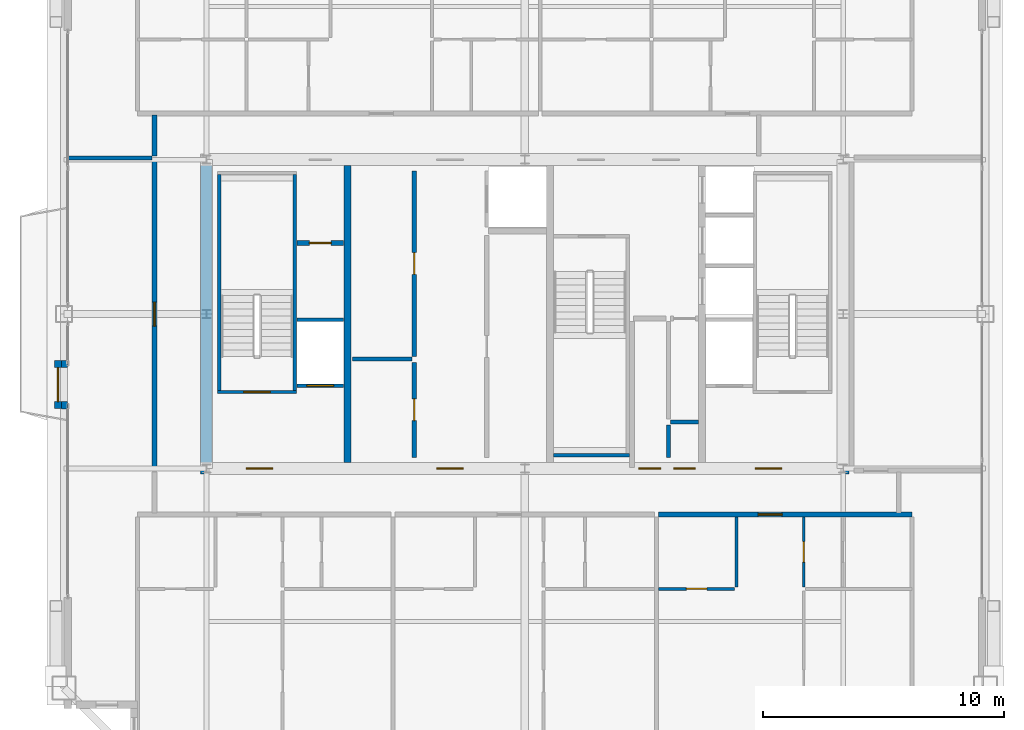
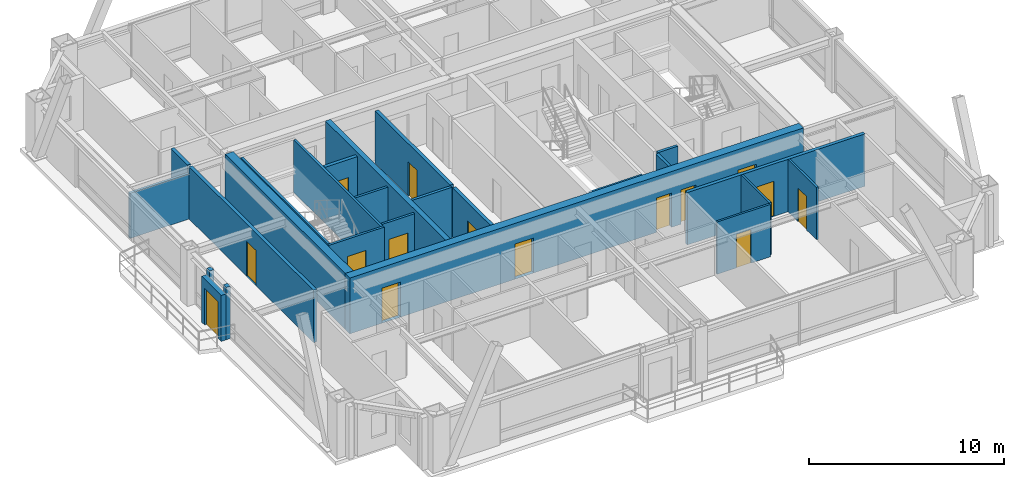
# One storey, part 29 of 33: 25 walls, 15 doors, 15 openings.
"""IFC4 building model written with IfcOpenShell, lengths in metres."""

import ifcopenshell
import ifcopenshell.guid

model = None  # the IFC model being written
_history = None  # IfcOwnerHistory: only IFC2X3 demands one
_inside = {}  # id of a spatial element -> (the spatial element, [elements in it])
_under = {}  # id of a project, library or spatial element -> (it, [spatial elements below it])
_declared = {}  # id of a project -> (the project, [libraries it declares])
_typed = {}  # id of a type object -> (the type object, [elements of that type])
_made_of = {}  # id of a material, layer set ... -> (it, [elements and type objects made of it])


def new_model(schema):
    """Start an empty IFC model of exactly this schema.

    Asked for "IFC4X3", IfcOpenShell would pick the latest addendum, in which some entities
    have other attributes; the version numbers below select the first issue.
    IFC2X3 requires an IfcOwnerHistory on every rooted entity: one is made here for all.
    """
    global model, _history
    if schema == "IFC4X3":
        model = ifcopenshell.file(schema_version=(4, 3, 0, 0))
    else:
        model = ifcopenshell.file(schema=schema)
    _inside.clear()
    _under.clear()
    _declared.clear()
    _typed.clear()
    _made_of.clear()
    _history = None
    if model.schema == "IFC2X3":
        org = make("IfcOrganization", Name="unknown")
        user = make(
            "IfcPersonAndOrganization",
            ThePerson=make("IfcPerson", FamilyName="unknown"),
            TheOrganization=org,
        )
        app = make(
            "IfcApplication",
            ApplicationDeveloper=org,
            Version="unknown",
            ApplicationFullName="unknown",
            ApplicationIdentifier="unknown",
        )
        _history = make(
            "IfcOwnerHistory",
            OwningUser=user,
            OwningApplication=app,
            ChangeAction="ADDED",
            CreationDate=0,
        )
    return model


def make(cls, **values):
    """One entity of the class cls with the attributes given. An attribute that is None is left unset."""
    return model.create_entity(
        cls, **{name: value for name, value in values.items() if value is not None}
    )


def rooted(cls, **values):
    """An entity with a GlobalId (a new one), such as an element, a storey or a relation."""
    return make(cls, GlobalId=ifcopenshell.guid.new(), OwnerHistory=_history, **values)


def si_unit(unit_type, name, prefix=None):
    """IfcSIUnit, for example si_unit("LENGTHUNIT", "METRE", prefix="MILLI")."""
    return make("IfcSIUnit", UnitType=unit_type, Prefix=prefix, Name=name)


def assignment(units):
    """IfcUnitAssignment: the units of a project."""
    return None if units is None else make("IfcUnitAssignment", Units=units)


def point(xyz):
    """IfcCartesianPoint."""
    return None if xyz is None else make("IfcCartesianPoint", Coordinates=xyz)


def direction(xyz):
    """IfcDirection."""
    return None if xyz is None else make("IfcDirection", DirectionRatios=xyz)


def frame(location, z_axis=None, x_axis=None):
    """IfcAxis2Placement3D, a coordinate frame: its origin and axes. An axis left out is left unset."""
    return make(
        "IfcAxis2Placement3D",
        Location=point(location),
        Axis=direction(z_axis),
        RefDirection=direction(x_axis),
    )


def frame_2d(location, x_axis=None):
    """IfcAxis2Placement2D, a coordinate frame in the plane: its origin and x axis."""
    return make(
        "IfcAxis2Placement2D", Location=point(location), RefDirection=direction(x_axis)
    )


def origin():
    """The frame at (0, 0, 0) with its axes left unset."""
    return frame((0.0, 0.0, 0.0))


def place(relative_to, where):
    """IfcLocalPlacement: puts the frame where relative to a parent placement (None: the world)."""
    return make(
        "IfcLocalPlacement", PlacementRelTo=relative_to, RelativePlacement=where
    )


def context(
    kind, dimensions, precision=None, world=None, true_north=None, identifier=None
):
    """IfcGeometricRepresentationContext, for example the 3D "Model" context."""
    return make(
        "IfcGeometricRepresentationContext",
        ContextIdentifier=identifier,
        ContextType=kind,
        CoordinateSpaceDimension=dimensions,
        Precision=precision,
        WorldCoordinateSystem=world,
        TrueNorth=true_north,
    )


def subcontext(parent, identifier, kind, view, scale=None):
    """IfcGeometricRepresentationSubContext, for example "Body" below "Model"."""
    return make(
        "IfcGeometricRepresentationSubContext",
        ContextIdentifier=identifier,
        ContextType=kind,
        ParentContext=parent,
        TargetScale=scale,
        TargetView=view,
    )


def project(units=None, contexts=None):
    """IfcProject with its units and contexts."""
    return rooted(
        "IfcProject",
        Name="project",
        RepresentationContexts=contexts,
        UnitsInContext=assignment(units),
    )


def spatial(cls, under=None, at=None, **own):
    """A site, building, storey or space (cls), placed at a placement, below another one or the project."""
    s = rooted(cls, ObjectPlacement=at, **own)
    if under is not None:
        _under.setdefault(under.id(), (under, []))[1].append(s)
    return s


def profile(cls, at=None, kind="AREA", **sizes):
    """A parametric profile (cls). Its sizes go by their IFC names, for example OverallWidth=200.0."""
    return make(cls, ProfileType=kind, Position=at, **sizes)


def rectangle(**sizes):
    """IfcRectangleProfileDef."""
    return profile("IfcRectangleProfileDef", **sizes)


def extrude(swept, where, along, depth):
    """IfcExtrudedAreaSolid: the profile swept, set in the frame where, extruded along a direction by depth."""
    return make(
        "IfcExtrudedAreaSolid",
        SweptArea=swept,
        Position=where,
        ExtrudedDirection=direction(along),
        Depth=depth,
    )


def shape(context_of_items, identifier, shape_type, items):
    """IfcShapeRepresentation: the items that make up one representation, for example the "Body"."""
    return make(
        "IfcShapeRepresentation",
        ContextOfItems=context_of_items,
        RepresentationIdentifier=identifier,
        RepresentationType=shape_type,
        Items=items,
    )


def source(mapping_origin, context_of_items, identifier, shape_type, items):
    """IfcRepresentationMap: a shape defined once, which mapped items show again and again."""
    return make(
        "IfcRepresentationMap",
        MappingOrigin=mapping_origin,
        MappedRepresentation=shape(context_of_items, identifier, shape_type, items),
    )


def transform(
    local_origin,
    x_axis=None,
    y_axis=None,
    z_axis=None,
    scale=None,
    scale2=None,
    scale3=None,
    uniform=True,
):
    """IfcCartesianTransformationOperator3D, or its non-uniform kind. x_axis, y_axis, z_axis: its Axis1, 2, 3."""
    if uniform:
        return make(
            "IfcCartesianTransformationOperator3D",
            Axis1=direction(x_axis),
            Axis2=direction(y_axis),
            LocalOrigin=point(local_origin),
            Scale=scale,
            Axis3=direction(z_axis),
        )
    return make(
        "IfcCartesianTransformationOperator3DnonUniform",
        Axis1=direction(x_axis),
        Axis2=direction(y_axis),
        LocalOrigin=point(local_origin),
        Scale=scale,
        Axis3=direction(z_axis),
        Scale2=scale2,
        Scale3=scale3,
    )


def mapped(mapping_source, mapping_target):
    """IfcMappedItem: shows the shape of a source again, moved by a transform."""
    return make(
        "IfcMappedItem", MappingSource=mapping_source, MappingTarget=mapping_target
    )


def material(Name=None, Category=None):
    """IfcMaterial."""
    return make("IfcMaterial", Name=Name, Category=Category)


def layer(
    of_material, thickness, ventilated=None, Name=None, Category=None, Priority=None
):
    """IfcMaterialLayer: one layer of a wall or slab, of a material (None: an air gap)."""
    return make(
        "IfcMaterialLayer",
        Material=of_material,
        LayerThickness=thickness,
        IsVentilated=ventilated,
        Name=Name,
        Category=Category,
        Priority=Priority,
    )


def layer_set(layers, Name=None):
    """IfcMaterialLayerSet."""
    return make("IfcMaterialLayerSet", MaterialLayers=layers, LayerSetName=Name)


def made_of(thing, what):
    """Note that an element or type object is made of a material, layer set ...; save() writes the relation."""
    if what is not None:
        _made_of.setdefault(what.id(), (what, []))[1].append(thing)
    return thing


def type_object(cls, material=None, **own):
    """A type object (cls), such as IfcWallType, which elements share."""
    return made_of(rooted(cls, **own), material)


def element(
    cls,
    number,
    at=None,
    inside=None,
    cuts=None,
    type_object=None,
    material=None,
    context=None,
    identifier="Body",
    shape_type=None,
    held_by="IfcProductDefinitionShape",
    body=None,
    shapes=None,
    **own,
):
    """One element of the class cls, such as IfcWall. Its Tag is "e" and its number.

    at: its placement. inside: the storey or other place that contains it. cuts: it is an
    opening in that element (IfcRelVoidsElement). A single representation is given by context,
    identifier, shape_type and body (its items); several are given by shapes. held_by: the class
    of the entity that holds the representations. save() writes the other relations.
    """
    e = rooted(cls, Tag="e%d" % number, ObjectPlacement=at, **own)
    if body is not None:
        shapes = [shape(context, identifier, shape_type, body)]
    if shapes is not None:
        e.Representation = make(held_by, Representations=shapes)
    if inside is not None:
        _inside.setdefault(inside.id(), (inside, []))[1].append(e)
    if cuts is not None:
        rooted(
            "IfcRelVoidsElement", RelatingBuildingElement=cuts, RelatedOpeningElement=e
        )
    if type_object is not None:
        _typed.setdefault(type_object.id(), (type_object, []))[1].append(e)
    return made_of(e, material)


def fill(opening, filler):
    """IfcRelFillsElement: the door or window that sits in an opening."""
    return rooted(
        "IfcRelFillsElement",
        RelatingOpeningElement=opening,
        RelatedBuildingElement=filler,
    )


def aggregate(whole, parts):
    """IfcRelAggregates: a whole, such as a stair, and the parts it consists of."""
    return rooted("IfcRelAggregates", RelatingObject=whole, RelatedObjects=parts)


def save(model, path):
    """Write the relations noted so far, then the file.

    IfcRelAggregates (storeys below a building ...), IfcRelContainedInSpatialStructure (elements
    in a storey), IfcRelDefinesByType, IfcRelAssociatesMaterial and IfcRelDeclares: one each for
    every whole, place, type object, material and project.
    """
    for whole, parts in _under.values():
        aggregate(whole, parts)
    for where, things in _inside.values():
        rooted(
            "IfcRelContainedInSpatialStructure",
            RelatedElements=things,
            RelatingStructure=where,
        )
    for kind, things in _typed.values():
        rooted("IfcRelDefinesByType", RelatedObjects=things, RelatingType=kind)
    for what, things in _made_of.values():
        rooted("IfcRelAssociatesMaterial", RelatedObjects=things, RelatingMaterial=what)
    for by, libraries in _declared.values():
        rooted("IfcRelDeclares", RelatingContext=by, RelatedDefinitions=libraries)
    model.write(path)


model = new_model("IFC4")

# Units and contexts
model_context = context("Model", 3, precision=1e-05, world=origin(), true_north=direction((0.0, 1.0)))
body_context = subcontext(model_context, "Body", "Model", "MODEL_VIEW")
ifc_project = project(units=[si_unit("LENGTHUNIT", "METRE"), si_unit("AREAUNIT", "SQUARE_METRE"), si_unit("VOLUMEUNIT", "CUBIC_METRE"), si_unit("PLANEANGLEUNIT", "RADIAN"), si_unit("MASSUNIT", "GRAM", prefix="KILO"), si_unit("THERMODYNAMICTEMPERATUREUNIT", "KELVIN"), si_unit("POWERUNIT", "WATT")], contexts=[model_context])

# Site, building, storey
site_placement = place(None, origin())
site = spatial("IfcSite", under=ifc_project, at=site_placement, CompositionType="ELEMENT")
building_placement = place(site_placement, origin())
building = spatial("IfcBuilding", under=site, at=building_placement, Name="Yuzanri Waterfront Tower", CompositionType="ELEMENT")
storey_placement = place(building_placement, frame((0.0, 0.0, 292.60009765625)))
storey = spatial("IfcBuildingStorey", under=building, at=storey_placement, Name="L78", CompositionType="ELEMENT", Elevation=292.60009765625)

# Wall, opening, door
ifc_material_1 = material(Name="Moisture-Resistant Gypsum Stud Wall", Category="gypsum")
ifc_layer_1 = layer(ifc_material_1, 0.1201171875)
ifc_layer_set_1 = layer_set([ifc_layer_1], Name="Moisture-Resistant Gypsum Stud Wall")
wall_type_1 = type_object("IfcWallType", Name="Bathroom and Kitchen Wet Partition 120", PredefinedType="PARTITIONING", material=ifc_layer_set_1)
wall_1_placement = place(storey_placement, frame((42.5400390625, 14.409912109375, 0.0), z_axis=(0.0, 0.0, 1.0), x_axis=(1.0, 0.0, 0.0)))
wall_1 = element("IfcWall", 1, at=wall_1_placement, inside=storey, type_object=wall_type_1, Name="L78 Partition UW-L78-HS3-SUB-1-S", PredefinedType="PARTITIONING", context=body_context, shape_type="SweptSolid", body=[
    extrude(rectangle(XDim=3.156005859375, YDim=0.1201171875, at=frame_2d((1.578125, 0.0))), origin(), (0.0, 0.0, 1.0), 3.27978515625),
])
opening_1_placement = place(wall_1_placement, frame((1.153076171875, 0.0, 0.0)))
opening_1 = element("IfcOpeningElement", 2, at=opening_1_placement, cuts=wall_1, Name="Opening ID-0850", PredefinedType="OPENING", context=body_context, shape_type="SweptSolid", body=[
    extrude(rectangle(XDim=0.85009765625, YDim=2.10009765625, at=frame_2d((0.425048828125, 1.050048828125))), frame((0.0, 0.074951171875, 0.0), z_axis=(0.0, -1.0, 0.0), x_axis=(1.0, 0.0, 0.0)), (0.0, 0.0, 1.0), 0.14990234375),
])
ifc_material_2 = material(Name="Moisture-Resistant Lacquered Timber", Category="wood")
door_type_1 = type_object("IfcDoorType", Name="En-Suite Bathroom and Kitchen Swing Door 850x2100", OperationType="NOTDEFINED", PredefinedType="DOOR", material=ifc_material_2)
shared_shape_1 = source(origin(), body_context, "Body", "SweptSolid", [
    extrude(rectangle(XDim=0.85009765625, YDim=2.10009765625, at=frame_2d((0.425048828125, 1.050048828125))), frame((0.0, 0.02490234375, 0.0), z_axis=(0.0, -1.0, 0.0), x_axis=(1.0, 0.0, 0.0)), (0.0, 0.0, 1.0), 0.050048828125),
])
door_1_placement = place(opening_1_placement, origin())
door_1 = element("IfcDoor", 3, at=door_1_placement, inside=storey, type_object=door_type_1, Name="L78 Suite Interior Room Door", OperationType="SINGLE_SWING_LEFT", OverallHeight=2.10009765625, OverallWidth=0.85009765625, PredefinedType="DOOR", context=body_context, shape_type="MappedRepresentation", body=[
    mapped(shared_shape_1, transform((0.0, 0.0, 0.0), scale=1.0)),
])
fill(opening_1, door_1)

wall_2_placement = place(storey_placement, frame((48.56201171875, 14.489990234375, 0.0), z_axis=(0.0, 0.0, 1.0), x_axis=(0.0, 1.0, 0.0)))
wall_2 = element("IfcWall", 4, at=wall_2_placement, inside=storey, type_object=wall_type_1, Name="L78 Partition UW-L78-HS3-SUB-4-W", PredefinedType="PARTITIONING", context=body_context, shape_type="SweptSolid", body=[
    extrude(rectangle(XDim=2.89990234375, YDim=0.1201171875, at=frame_2d((1.449951171875, 0.0))), origin(), (0.0, 0.0, 1.0), 3.27978515625),
])
opening_2_placement = place(wall_2_placement, frame((1.02490234375, 0.0, 0.0)))
opening_2 = element("IfcOpeningElement", 5, at=opening_2_placement, cuts=wall_2, Name="Opening ID-0850", PredefinedType="OPENING", context=body_context, shape_type="SweptSolid", body=[
    extrude(rectangle(XDim=0.85009765625, YDim=2.10009765625, at=frame_2d((0.425048828125, 1.050048828125))), frame((0.0, 0.074951171875, 0.0), z_axis=(0.0, -1.0, 0.0), x_axis=(1.0, 0.0, 0.0)), (0.0, 0.0, 1.0), 0.14990234375),
])
door_2_placement = place(opening_2_placement, origin())
door_2 = element("IfcDoor", 6, at=door_2_placement, inside=storey, type_object=door_type_1, Name="L78 Suite Interior Room Door", OperationType="SINGLE_SWING_RIGHT", OverallHeight=2.10009765625, OverallWidth=0.85009765625, PredefinedType="DOOR", context=body_context, shape_type="MappedRepresentation", body=[
    mapped(shared_shape_1, transform((0.0, 0.0, 0.0), scale=1.0)),
])
fill(opening_2, door_2)

ifc_material_3 = material(Name="Honed Chongqing Dark Basalt Stone", Category="masonry")
ifc_layer_2 = layer(ifc_material_3, 0.300048828125)
ifc_layer_set_2 = layer_set([ifc_layer_2], Name="Honed Chongqing Dark Basalt Stone")
wall_type_2 = type_object("IfcWallType", Name="Bronze Rainscreen Insulated Spandrel Portal Wall 300", PredefinedType="SOLIDWALL", material=ifc_layer_set_2)
wall_3_placement = place(storey_placement, frame((17.64990234375, 21.875, 0.0), z_axis=(0.0, 0.0, 1.0), x_axis=(0.0, 1.0, 0.0)))
wall_3 = element("IfcWall", 7, at=wall_3_placement, inside=storey, type_object=wall_type_2, Name="L78 W Terrace Door Portal Wall", PredefinedType="SOLIDWALL", context=body_context, shape_type="SweptSolid", body=[
    extrude(rectangle(XDim=2.0, YDim=0.300048828125, at=frame_2d((1.0, 0.0))), origin(), (0.0, 0.0, 1.0), 2.885009765625),
])
opening_3_placement = place(wall_3_placement, frame((0.300048828125, 0.0, 0.0)))
opening_3 = element("IfcOpeningElement", 8, at=opening_3_placement, cuts=wall_3, Name="Opening TD-1400", PredefinedType="OPENING", context=body_context, shape_type="SweptSolid", body=[
    extrude(rectangle(XDim=1.39990234375, YDim=2.300048828125, at=frame_2d((0.699951171875, 1.14990234375))), frame((0.0, 0.1650390625, 0.0), z_axis=(0.0, -1.0, 0.0), x_axis=(1.0, 0.0, 0.0)), (0.0, 0.0, 1.0), 0.329833984375),
])
ifc_material_4 = material(Name="Anodized Architectural Bronze", Category="metal")
door_type_2 = type_object("IfcDoorType", Name="Anodized Bronze Balcony and Terrace Glazed Double Door 1400x2300", OperationType="NOTDEFINED", PredefinedType="DOOR", material=ifc_material_4)
shared_shape_2 = source(origin(), body_context, "Body", "SweptSolid", [
    extrude(rectangle(XDim=1.39990234375, YDim=2.300048828125, at=frame_2d((0.699951171875, 1.14990234375))), frame((0.0, 0.02490234375, 0.0), z_axis=(0.0, -1.0, 0.0), x_axis=(1.0, 0.0, 0.0)), (0.0, 0.0, 1.0), 0.050048828125),
])
door_3_placement = place(opening_3_placement, origin())
door_3 = element("IfcDoor", 9, at=door_3_placement, inside=storey, type_object=door_type_2, Name="L78 W Terrace Glazed Double Door", OperationType="DOUBLE_DOOR_SINGLE_SWING", OverallHeight=2.300048828125, OverallWidth=1.39990234375, PredefinedType="DOOR", context=body_context, shape_type="MappedRepresentation", body=[
    mapped(shared_shape_2, transform((0.0, 0.0, 0.0), scale=1.0)),
])
fill(opening_3, door_3)

# Wall, openings, doors
ifc_material_5 = material(Name="Concrete C45", Category="concrete")
ifc_layer_3 = layer(ifc_material_5, 0.47998046875)
ifc_layer_set_3 = layer_set([ifc_layer_3], Name="Concrete C45")
wall_type_3 = type_object("IfcWallType", Name="Concrete C45 High-Rise Core Shear Wall 480", PredefinedType="SHEAR", material=ifc_layer_set_3)
wall_4_placement = place(storey_placement, frame((23.56005859375, 19.39990234375, 0.0), z_axis=(0.0, 0.0, 1.0), x_axis=(1.0, 0.0, 0.0)))
wall_4 = element("IfcWall", 10, at=wall_4_placement, inside=storey, type_object=wall_type_3, Name="L78 Core South Shear Wall", PredefinedType="SHEAR", context=body_context, shape_type="SweptSolid", body=[
    extrude(rectangle(XDim=26.8798828125, YDim=0.47998046875, at=frame_2d((13.43994140625, 0.0))), origin(), (0.0, 0.0, 1.0), 3.5),
])
opening_4_placement = place(wall_4_placement, frame((1.889892578125, 0.0, 0.0)))
opening_4 = element("IfcOpeningElement", 11, at=opening_4_placement, cuts=wall_4, Name="Opening FD-1100", PredefinedType="OPENING", context=body_context, shape_type="SweptSolid", body=[
    extrude(rectangle(XDim=1.10009765625, YDim=2.199951171875, at=frame_2d((0.550048828125, 1.10009765625))), frame((0.0, 0.2548828125, 0.0), z_axis=(0.0, -1.0, 0.0), x_axis=(1.0, 0.0, 0.0)), (0.0, 0.0, 1.0), 0.509765625),
])
opening_5_placement = place(wall_4_placement, frame((9.7900390625, 0.0, 0.0)))
opening_5 = element("IfcOpeningElement", 12, at=opening_5_placement, cuts=wall_4, Name="Opening FD-1100", PredefinedType="OPENING", context=body_context, shape_type="SweptSolid", body=[
    extrude(rectangle(XDim=1.10009765625, YDim=2.199951171875, at=frame_2d((0.550048828125, 1.10009765625))), frame((0.0, 0.2548828125, 0.0), z_axis=(0.0, -1.0, 0.0), x_axis=(1.0, 0.0, 0.0)), (0.0, 0.0, 1.0), 0.509765625),
])
opening_6_placement = place(wall_4_placement, frame((22.989990234375, 0.0, 0.0)))
opening_6 = element("IfcOpeningElement", 13, at=opening_6_placement, cuts=wall_4, Name="Opening FD-1100", PredefinedType="OPENING", context=body_context, shape_type="SweptSolid", body=[
    extrude(rectangle(XDim=1.10009765625, YDim=2.199951171875, at=frame_2d((0.550048828125, 1.10009765625))), frame((0.0, 0.2548828125, 0.0), z_axis=(0.0, -1.0, 0.0), x_axis=(1.0, 0.0, 0.0)), (0.0, 0.0, 1.0), 0.509765625),
])
opening_7_placement = place(wall_4_placement, frame((19.610107421875, 0.0, 0.0)))
opening_7 = element("IfcOpeningElement", 14, at=opening_7_placement, cuts=wall_4, Name="Opening FD-0900", PredefinedType="OPENING", context=body_context, shape_type="SweptSolid", body=[
    extrude(rectangle(XDim=0.89990234375, YDim=2.14990234375, at=frame_2d((0.449951171875, 1.074951171875))), frame((0.0, 0.2548828125, 0.0), z_axis=(0.0, -1.0, 0.0), x_axis=(1.0, 0.0, 0.0)), (0.0, 0.0, 1.0), 0.509765625),
])
opening_8_placement = place(wall_4_placement, frame((18.169921875, 0.0, 0.0)))
opening_8 = element("IfcOpeningElement", 15, at=opening_8_placement, cuts=wall_4, Name="Opening FD-0900", PredefinedType="OPENING", context=body_context, shape_type="SweptSolid", body=[
    extrude(rectangle(XDim=0.89990234375, YDim=2.14990234375, at=frame_2d((0.449951171875, 1.074951171875))), frame((0.0, 0.2548828125, 0.0), z_axis=(0.0, -1.0, 0.0), x_axis=(1.0, 0.0, 0.0)), (0.0, 0.0, 1.0), 0.509765625),
])
ifc_material_6 = material(Name="Painted Galvanized Fire Steel", Category="steel")
door_type_3 = type_object("IfcDoorType", Name="Smoke-Proof Stair and Lobby Fire Door 1100x2200", OperationType="NOTDEFINED", PredefinedType="DOOR", material=ifc_material_6)
shared_shape_3 = source(origin(), body_context, "Body", "SweptSolid", [
    extrude(rectangle(XDim=1.10009765625, YDim=2.199951171875, at=frame_2d((0.550048828125, 1.10009765625))), frame((0.0, 0.02490234375, 0.0), z_axis=(0.0, -1.0, 0.0), x_axis=(1.0, 0.0, 0.0)), (0.0, 0.0, 1.0), 0.050048828125),
])
door_4_placement = place(opening_4_placement, origin())
door_4 = element("IfcDoor", 16, at=door_4_placement, inside=storey, type_object=door_type_3, Name="L78 West Firefighting Lobby Door", OperationType="SINGLE_SWING_RIGHT", OverallHeight=2.199951171875, OverallWidth=1.10009765625, PredefinedType="DOOR", context=body_context, shape_type="MappedRepresentation", body=[
    mapped(shared_shape_3, transform((0.0, 0.0, 0.0), scale=1.0)),
])
fill(opening_4, door_4)
door_5_placement = place(opening_5_placement, origin())
door_5 = element("IfcDoor", 17, at=door_5_placement, inside=storey, type_object=door_type_3, Name="L78 Central Lift Lobby South Door", OperationType="SINGLE_SWING_LEFT", OverallHeight=2.199951171875, OverallWidth=1.10009765625, PredefinedType="DOOR", context=body_context, shape_type="MappedRepresentation", body=[
    mapped(shared_shape_3, transform((0.0, 0.0, 0.0), scale=1.0)),
])
fill(opening_5, door_5)
door_6_placement = place(opening_6_placement, origin())
door_6 = element("IfcDoor", 18, at=door_6_placement, inside=storey, type_object=door_type_3, Name="L78 East Firefighting Lobby Door", OperationType="SINGLE_SWING_RIGHT", OverallHeight=2.199951171875, OverallWidth=1.10009765625, PredefinedType="DOOR", context=body_context, shape_type="MappedRepresentation", body=[
    mapped(shared_shape_3, transform((0.0, 0.0, 0.0), scale=1.0)),
])
fill(opening_6, door_6)
ifc_material_7 = material(Name="Painted Galvanized Fire Steel", Category="steel")
door_type_4 = type_object("IfcDoorType", Name="Riser and Service Room Fire Door 900x2150", OperationType="NOTDEFINED", PredefinedType="DOOR", material=ifc_material_7)
shared_shape_4 = source(origin(), body_context, "Body", "SweptSolid", [
    extrude(rectangle(XDim=0.89990234375, YDim=2.14990234375, at=frame_2d((0.449951171875, 1.074951171875))), frame((0.0, 0.02490234375, 0.0), z_axis=(0.0, -1.0, 0.0), x_axis=(1.0, 0.0, 0.0)), (0.0, 0.0, 1.0), 0.050048828125),
])
door_7_placement = place(opening_7_placement, origin())
door_7 = element("IfcDoor", 19, at=door_7_placement, inside=storey, type_object=door_type_4, Name="L78 East Wet Riser Door", OperationType="SINGLE_SWING_LEFT", OverallHeight=2.14990234375, OverallWidth=0.89990234375, PredefinedType="DOOR", context=body_context, shape_type="MappedRepresentation", body=[
    mapped(shared_shape_4, transform((0.0, 0.0, 0.0), scale=1.0)),
])
fill(opening_7, door_7)
door_8_placement = place(opening_8_placement, origin())
door_8 = element("IfcDoor", 20, at=door_8_placement, inside=storey, type_object=door_type_4, Name="L78 Cleaners Store Room", OperationType="SINGLE_SWING_RIGHT", OverallHeight=2.14990234375, OverallWidth=0.89990234375, PredefinedType="DOOR", context=body_context, shape_type="MappedRepresentation", body=[
    mapped(shared_shape_4, transform((0.0, 0.0, 0.0), scale=1.0)),
])
fill(opening_8, door_8)

# Wall, opening, door
ifc_material_8 = material(Name="Concrete C40", Category="concrete")
ifc_layer_4 = layer(ifc_material_8, 0.139892578125)
ifc_layer_set_4 = layer_set([ifc_layer_4], Name="Concrete C40")
wall_type_4 = type_object("IfcWallType", Name="Core Stair Liner and Hoistway Shaft Wall 140", PredefinedType="SOLIDWALL", material=ifc_layer_set_4)
wall_5_placement = place(storey_placement, frame((27.56005859375, 22.830078125, 0.0), z_axis=(0.0, 0.0, 1.0), x_axis=(1.0, 0.0, 0.0)))
wall_5 = element("IfcWall", 21, at=wall_5_placement, inside=storey, type_object=wall_type_4, Name="L78 Lift FL-01 Front Shaft Wall", PredefinedType="SOLIDWALL", context=body_context, shape_type="SweptSolid", body=[
    extrude(rectangle(XDim=1.919921875, YDim=0.139892578125, at=frame_2d((0.9599609375, 0.0))), origin(), (0.0, 0.0, 1.0), 3.27978515625),
])
opening_9_placement = place(wall_5_placement, frame((0.409912109375, 0.0, 0.0)))
opening_9 = element("IfcOpeningElement", 22, at=opening_9_placement, cuts=wall_5, Name="Opening LD-FL-01", PredefinedType="OPENING", context=body_context, shape_type="SweptSolid", body=[
    extrude(rectangle(XDim=1.10009765625, YDim=2.199951171875, at=frame_2d((0.550048828125, 1.10009765625))), frame((0.0, 0.0849609375, 0.0), z_axis=(0.0, -1.0, 0.0), x_axis=(1.0, 0.0, 0.0)), (0.0, 0.0, 1.0), 0.169677734375),
])
ifc_material_9 = material(Name="Brushed Bronze and Stainless Steel Cab", Category="steel")
door_type_5 = type_object("IfcDoorType", Name="Center-Parting Bronze Lift Landing Sliding Door 1100x2200", OperationType="NOTDEFINED", PredefinedType="DOOR", material=ifc_material_9)
shared_shape_5 = source(origin(), body_context, "Body", "SweptSolid", [
    extrude(rectangle(XDim=1.10009765625, YDim=2.199951171875, at=frame_2d((0.550048828125, 1.10009765625))), frame((0.0, 0.02490234375, 0.0), z_axis=(0.0, -1.0, 0.0), x_axis=(1.0, 0.0, 0.0)), (0.0, 0.0, 1.0), 0.050048828125),
])
door_9_placement = place(opening_9_placement, origin())
door_9 = element("IfcDoor", 23, at=door_9_placement, inside=storey, type_object=door_type_5, Name="L78 FL-01 Lift Landing Sliding Door", OperationType="SLIDING_TO_LEFT", OverallHeight=2.199951171875, OverallWidth=1.10009765625, PredefinedType="DOOR", context=body_context, shape_type="MappedRepresentation", body=[
    mapped(shared_shape_5, transform((0.0, 0.0, 0.0), scale=1.0)),
])
fill(opening_9, door_9)

wall_6_placement = place(storey_placement, frame((24.260009765625, 22.570068359375, 0.0), z_axis=(0.0, 0.0, 1.0), x_axis=(1.0, 0.0, 0.0)))
wall_6 = element("IfcWall", 24, at=wall_6_placement, inside=storey, type_object=wall_type_4, Name="L78 Shaft Wall STW-L78-ST-01-S", PredefinedType="SOLIDWALL", context=body_context, shape_type="SweptSolid", body=[
    extrude(rectangle(XDim=3.280029296875, YDim=0.139892578125, at=frame_2d((1.64013671875, 0.0))), origin(), (0.0, 0.0, 1.0), 3.27978515625),
])
opening_10_placement = place(wall_6_placement, frame((1.090087890625, 0.0, 0.0)))
opening_10 = element("IfcOpeningElement", 25, at=opening_10_placement, cuts=wall_6, Name="Opening FD-1100", PredefinedType="OPENING", context=body_context, shape_type="SweptSolid", body=[
    extrude(rectangle(XDim=1.10009765625, YDim=2.199951171875, at=frame_2d((0.550048828125, 1.10009765625))), frame((0.0, 0.0849609375, 0.0), z_axis=(0.0, -1.0, 0.0), x_axis=(1.0, 0.0, 0.0)), (0.0, 0.0, 1.0), 0.169677734375),
])
door_10_placement = place(opening_10_placement, origin())
door_10 = element("IfcDoor", 26, at=door_10_placement, inside=storey, type_object=door_type_3, Name="L78 Stair ST-01 Fire Door", OperationType="SINGLE_SWING_LEFT", OverallHeight=2.199951171875, OverallWidth=1.10009765625, PredefinedType="DOOR", context=body_context, shape_type="MappedRepresentation", body=[
    mapped(shared_shape_3, transform((0.0, 0.0, 0.0), scale=1.0)),
])
fill(opening_10, door_10)

ifc_material_10 = material(Name="Autoclaved Aerated Concrete Blockwork", Category="masonry")
ifc_layer_5 = layer(ifc_material_10, 0.199951171875)
ifc_layer_set_5 = layer_set([ifc_layer_5], Name="Autoclaved Aerated Concrete Blockwork")
wall_type_5 = type_object("IfcWallType", Name="Corridor and Unit Party Fire Wall 200", PredefinedType="PARTITIONING", material=ifc_layer_set_5)
wall_7_placement = place(storey_placement, frame((27.56005859375, 28.75, 0.0), z_axis=(0.0, 0.0, 1.0), x_axis=(1.0, 0.0, 0.0)))
wall_7 = element("IfcWall", 27, at=wall_7_placement, inside=storey, type_object=wall_type_5, Name="L78 Partition CRW-L78-ERTR", PredefinedType="PARTITIONING", context=body_context, shape_type="SweptSolid", body=[
    extrude(rectangle(XDim=1.919921875, YDim=0.199951171875, at=frame_2d((0.9599609375, 0.0))), origin(), (0.0, 0.0, 1.0), 3.27978515625),
])
opening_11_placement = place(wall_7_placement, frame((0.510009765625, 0.0, 0.0)))
opening_11 = element("IfcOpeningElement", 28, at=opening_11_placement, cuts=wall_7, Name="Opening FD-0900", PredefinedType="OPENING", context=body_context, shape_type="SweptSolid", body=[
    extrude(rectangle(XDim=0.89990234375, YDim=2.14990234375, at=frame_2d((0.449951171875, 1.074951171875))), frame((0.0, 0.11474609375, 0.0), z_axis=(0.0, -1.0, 0.0), x_axis=(1.0, 0.0, 0.0)), (0.0, 0.0, 1.0), 0.229736328125),
])
door_11_placement = place(opening_11_placement, origin())
door_11 = element("IfcDoor", 29, at=door_11_placement, inside=storey, type_object=door_type_4, Name="L78 Electrical Riser Door", OperationType="SINGLE_SWING_LEFT", OverallHeight=2.14990234375, OverallWidth=0.89990234375, PredefinedType="DOOR", context=body_context, shape_type="MappedRepresentation", body=[
    mapped(shared_shape_4, transform((0.0, 0.0, 0.0), scale=1.0)),
])
fill(opening_11, door_11)

wall_8_placement = place(storey_placement, frame((32.419921875, 19.860107421875, 0.0), z_axis=(0.0, 0.0, 1.0), x_axis=(0.0, 1.0, 0.0)))
wall_8 = element("IfcWall", 30, at=wall_8_placement, inside=storey, type_object=wall_type_5, Name="L78 Partition CRW-L78-B1R-1", PredefinedType="PARTITIONING", context=body_context, shape_type="SweptSolid", body=[
    extrude(rectangle(XDim=3.93994140625, YDim=0.199951171875, at=frame_2d((1.969970703125, 0.0))), origin(), (0.0, 0.0, 1.0), 3.27978515625),
])
opening_12_placement = place(wall_8_placement, frame((1.52001953125, 0.0, 0.0)))
opening_12 = element("IfcOpeningElement", 31, at=opening_12_placement, cuts=wall_8, Name="Opening FD-0900", PredefinedType="OPENING", context=body_context, shape_type="SweptSolid", body=[
    extrude(rectangle(XDim=0.89990234375, YDim=2.14990234375, at=frame_2d((0.449951171875, 1.074951171875))), frame((0.0, 0.11474609375, 0.0), z_axis=(0.0, -1.0, 0.0), x_axis=(1.0, 0.0, 0.0)), (0.0, 0.0, 1.0), 0.229736328125),
])
door_12_placement = place(opening_12_placement, origin())
door_12 = element("IfcDoor", 32, at=door_12_placement, inside=storey, type_object=door_type_4, Name="L78 Janitor Supply Store Room", OperationType="SINGLE_SWING_RIGHT", OverallHeight=2.14990234375, OverallWidth=0.89990234375, PredefinedType="DOOR", context=body_context, shape_type="MappedRepresentation", body=[
    mapped(shared_shape_4, transform((0.0, 0.0, 0.0), scale=1.0)),
])
fill(opening_12, door_12)

wall_9_placement = place(storey_placement, frame((32.419921875, 24.050048828125, 0.0), z_axis=(0.0, 0.0, 1.0), x_axis=(0.0, 1.0, 0.0)))
wall_9 = element("IfcWall", 33, at=wall_9_placement, inside=storey, type_object=wall_type_5, Name="L78 Partition CRW-L78-B1R-2", PredefinedType="PARTITIONING", context=body_context, shape_type="SweptSolid", body=[
    extrude(rectangle(XDim=7.68994140625, YDim=0.199951171875, at=frame_2d((3.844970703125, 0.0))), origin(), (0.0, 0.0, 1.0), 3.27978515625),
])
opening_13_placement = place(wall_9_placement, frame((3.39501953125, 0.0, 0.0)))
opening_13 = element("IfcOpeningElement", 34, at=opening_13_placement, cuts=wall_9, Name="Opening FD-0900", PredefinedType="OPENING", context=body_context, shape_type="SweptSolid", body=[
    extrude(rectangle(XDim=0.89990234375, YDim=2.14990234375, at=frame_2d((0.449951171875, 1.074951171875))), frame((0.0, 0.11474609375, 0.0), z_axis=(0.0, -1.0, 0.0), x_axis=(1.0, 0.0, 0.0)), (0.0, 0.0, 1.0), 0.229736328125),
])
door_13_placement = place(opening_13_placement, origin())
door_13 = element("IfcDoor", 35, at=door_13_placement, inside=storey, type_object=door_type_4, Name="L78 Common Store Room", OperationType="SINGLE_SWING_LEFT", OverallHeight=2.14990234375, OverallWidth=0.89990234375, PredefinedType="DOOR", context=body_context, shape_type="MappedRepresentation", body=[
    mapped(shared_shape_4, transform((0.0, 0.0, 0.0), scale=1.0)),
])
fill(opening_13, door_13)

wall_10_placement = place(storey_placement, frame((42.5400390625, 17.489990234375, 0.0), z_axis=(0.0, 0.0, 1.0), x_axis=(1.0, 0.0, 0.0)))
wall_10 = element("IfcWall", 36, at=wall_10_placement, inside=storey, type_object=wall_type_5, Name="L78 Partition UW-L78-HS3-CN", PredefinedType="PARTITIONING", context=body_context, shape_type="SweptSolid", body=[
    extrude(rectangle(XDim=10.52001953125, YDim=0.199951171875, at=frame_2d((5.260009765625, 0.0))), origin(), (0.0, 0.0, 1.0), 3.27978515625),
])
opening_14_placement = place(wall_10_placement, frame((4.12890625, 0.0, 0.0)))
opening_14 = element("IfcOpeningElement", 37, at=opening_14_placement, cuts=wall_10, Name="Opening FD-1000", PredefinedType="OPENING", context=body_context, shape_type="SweptSolid", body=[
    extrude(rectangle(XDim=1.0, YDim=2.199951171875, at=frame_2d((0.5, 1.10009765625))), frame((0.0, 0.11474609375, 0.0), z_axis=(0.0, -1.0, 0.0), x_axis=(1.0, 0.0, 0.0)), (0.0, 0.0, 1.0), 0.229736328125),
])
ifc_material_11 = material(Name="Engineered Oak Fire-Rated Timber", Category="wood")
door_type_6 = type_object("IfcDoorType", Name="Guestroom and Apartment Entrance Fire Door 1000x2200", OperationType="NOTDEFINED", PredefinedType="DOOR", material=ifc_material_11)
shared_shape_6 = source(origin(), body_context, "Body", "SweptSolid", [
    extrude(rectangle(XDim=1.0, YDim=2.199951171875, at=frame_2d((0.5, 1.10009765625))), frame((0.0, 0.02490234375, 0.0), z_axis=(0.0, -1.0, 0.0), x_axis=(1.0, 0.0, 0.0)), (0.0, 0.0, 1.0), 0.050048828125),
])
door_14_placement = place(opening_14_placement, origin())
door_14 = element("IfcDoor", 38, at=door_14_placement, inside=storey, type_object=door_type_6, Name="L78 Apartment Living Room Entrance Door", OperationType="SINGLE_SWING_RIGHT", OverallHeight=2.199951171875, OverallWidth=1.0, PredefinedType="DOOR", context=body_context, shape_type="MappedRepresentation", body=[
    mapped(shared_shape_6, transform((0.0, 0.0, 0.0), scale=1.0)),
])
fill(opening_14, door_14)

wall_11_placement = place(storey_placement, frame((21.64990234375, 19.409912109375, 0.0), z_axis=(0.0, 0.0, 1.0), x_axis=(0.0, 1.0, 0.0)))
wall_11 = element("IfcWall", 39, at=wall_11_placement, inside=storey, type_object=wall_type_5, Name="L78 Partition UW-L78-050-CW", PredefinedType="PARTITIONING", context=body_context, shape_type="SweptSolid", body=[
    extrude(rectangle(XDim=12.780029296875, YDim=0.199951171875, at=frame_2d((6.39013671875, 0.0))), origin(), (0.0, 0.0, 1.0), 3.27978515625),
])
opening_15_placement = place(wall_11_placement, frame((5.889892578125, 0.0, 0.0)))
opening_15 = element("IfcOpeningElement", 40, at=opening_15_placement, cuts=wall_11, Name="Opening FD-1000", PredefinedType="OPENING", context=body_context, shape_type="SweptSolid", body=[
    extrude(rectangle(XDim=1.0, YDim=2.199951171875, at=frame_2d((0.5, 1.10009765625))), frame((0.0, 0.11474609375, 0.0), z_axis=(0.0, -1.0, 0.0), x_axis=(1.0, 0.0, 0.0)), (0.0, 0.0, 1.0), 0.229736328125),
])
door_15_placement = place(opening_15_placement, origin())
door_15 = element("IfcDoor", 41, at=door_15_placement, inside=storey, type_object=door_type_6, Name="L78 High-Rise W Boardroom Meeting Room Entrance Door", OperationType="SINGLE_SWING_RIGHT", OverallHeight=2.199951171875, OverallWidth=1.0, PredefinedType="DOOR", context=body_context, shape_type="MappedRepresentation", body=[
    mapped(shared_shape_6, transform((0.0, 0.0, 0.0), scale=1.0)),
])
fill(opening_15, door_15)

# Walls
shared_shape_7 = source(origin(), body_context, "Body", "SweptSolid", [
    extrude(rectangle(XDim=12.320068359375, YDim=0.47998046875, at=frame_2d((6.16015625, 0.0))), origin(), (0.0, 0.0, 1.0), 3.5),
])
wall_12_placement = place(storey_placement, frame((23.800048828125, 19.639892578125, 0.0), z_axis=(0.0, 0.0, 1.0), x_axis=(0.0, 1.0, 0.0)))
element("IfcWall", 42, at=wall_12_placement, inside=storey, type_object=wall_type_3, Name="L78 Core West Shear Wall", PredefinedType="SHEAR", context=body_context, shape_type="MappedRepresentation", body=[
    mapped(shared_shape_7, transform((0.0, 0.0, 0.0), scale=1.0)),
])
ifc_material_12 = material(Name="Concrete C50", Category="concrete")
ifc_layer_6 = layer(ifc_material_12, 0.300048828125)
ifc_layer_set_6 = layer_set([ifc_layer_6], Name="Concrete C50")
wall_type_6 = type_object("IfcWallType", Name="Concrete C50 Internal Core Shaft Structural Wall 300", PredefinedType="SOLIDWALL", material=ifc_layer_set_6)
shared_shape_8 = source(origin(), body_context, "Body", "SweptSolid", [
    extrude(rectangle(XDim=12.320068359375, YDim=0.300048828125, at=frame_2d((6.16015625, 0.0))), origin(), (0.0, 0.0, 1.0), 3.5),
])
wall_13_placement = place(storey_placement, frame((29.64990234375, 19.639892578125, 0.0), z_axis=(0.0, 0.0, 1.0), x_axis=(0.0, 1.0, 0.0)))
element("IfcWall", 43, at=wall_13_placement, inside=storey, type_object=wall_type_6, Name="L78 Core Internal Structural Web Wall 1", PredefinedType="SOLIDWALL", context=body_context, shape_type="MappedRepresentation", body=[
    mapped(shared_shape_8, transform((0.0, 0.0, 0.0), scale=1.0)),
])
shared_shape_9 = source(origin(), body_context, "Body", "SweptSolid", [
    extrude(rectangle(XDim=0.25, YDim=0.300048828125, at=frame_2d((0.125, 0.0))), origin(), (0.0, 0.0, 1.0), 3.27978515625),
])
for number, where, z_axis, x_axis, name in (
    (44, (18.050048828125, 22.02490234375, 0.0), (0.0, 0.0, 1.0), (-1.0, 0.0, 0.0), "L78 W Terrace Portal Left Return"),
    (45, (17.800048828125, 23.72509765625, 0.0), (0.0, 0.0, 1.0), (1.0, 0.0, 0.0), "L78 W Terrace Portal Right Return"),
):
    element("IfcWall", number, at=place(storey_placement, frame(where, z_axis=z_axis, x_axis=x_axis)), inside=storey, type_object=wall_type_2, Name=name, PredefinedType="SOLIDWALL", context=body_context, shape_type="MappedRepresentation", body=[
        mapped(shared_shape_9, transform((0.0, 0.0, 0.0), scale=1.0)),
    ])
shared_shape_10 = source(origin(), body_context, "Body", "SweptSolid", [
    extrude(rectangle(XDim=1.919921875, YDim=0.139892578125, at=frame_2d((0.9599609375, 0.0))), origin(), (0.0, 0.0, 1.0), 3.27978515625),
])
wall_14_placement = place(storey_placement, frame((27.56005859375, 25.570068359375, 0.0), z_axis=(0.0, 0.0, 1.0), x_axis=(1.0, 0.0, 0.0)))
element("IfcWall", 46, at=wall_14_placement, inside=storey, type_object=wall_type_4, Name="L78 Lift FL-01 Back Shaft Wall", PredefinedType="SOLIDWALL", context=body_context, shape_type="MappedRepresentation", body=[
    mapped(shared_shape_10, transform((0.0, 0.0, 0.0), scale=1.0)),
])
shared_shape_11 = source(origin(), body_context, "Body", "SweptSolid", [
    extrude(rectangle(XDim=8.940185546875, YDim=0.139892578125, at=frame_2d((4.47021484375, 0.0))), origin(), (0.0, 0.0, 1.0), 3.27978515625),
])
for number, where, z_axis, x_axis, name in (
    (47, (24.330078125, 22.639892578125, 0.0), (0.0, 0.0, 1.0), (0.0, 1.0, 0.0), "L78 Stair ST-01 West Shaft Wall"),
    (48, (27.469970703125, 22.639892578125, 0.0), (0.0, 0.0, 1.0), (0.0, 1.0, 0.0), "L78 Stair ST-01 East Shaft Wall"),
):
    element("IfcWall", number, at=place(storey_placement, frame(where, z_axis=z_axis, x_axis=x_axis)), inside=storey, type_object=wall_type_4, Name=name, PredefinedType="SOLIDWALL", context=body_context, shape_type="MappedRepresentation", body=[
        mapped(shared_shape_11, transform((0.0, 0.0, 0.0), scale=1.0)),
    ])
shared_shape_12 = source(origin(), body_context, "Body", "SweptSolid", [
    extrude(rectangle(XDim=3.14013671875, YDim=0.139892578125, at=frame_2d((1.570068359375, 0.0))), origin(), (0.0, 0.0, 1.0), 3.27978515625),
])
wall_15_placement = place(storey_placement, frame((38.199951171875, 19.949951171875, 0.0), z_axis=(0.0, 0.0, 1.0), x_axis=(1.0, 0.0, 0.0)))
element("IfcWall", 49, at=wall_15_placement, inside=storey, type_object=wall_type_4, Name="L78 Stair ST-03 South Shaft Wall", PredefinedType="SOLIDWALL", context=body_context, shape_type="MappedRepresentation", body=[
    mapped(shared_shape_12, transform((0.0, 0.0, 0.0), scale=1.0)),
])
ifc_material_13 = material(Name="Gypsum Fireboard Acoustic Stud Wall", Category="gypsum")
ifc_layer_7 = layer(ifc_material_13, 0.159912109375)
ifc_layer_set_7 = layer_set([ifc_layer_7], Name="Gypsum Fireboard Acoustic Stud Wall")
wall_type_7 = type_object("IfcWallType", Name="Acoustic Suite Demising Partition 160", PredefinedType="PARTITIONING", material=ifc_layer_set_7)
shared_shape_13 = source(origin(), body_context, "Body", "SweptSolid", [
    extrude(rectangle(XDim=2.469970703125, YDim=0.159912109375, at=frame_2d((1.23486328125, 0.0))), origin(), (0.0, 0.0, 1.0), 3.27978515625),
])
wall_16_placement = place(storey_placement, frame((29.85009765625, 23.929931640625, 0.0), z_axis=(0.0, 0.0, 1.0), x_axis=(1.0, 0.0, 0.0)))
element("IfcWall", 50, at=wall_16_placement, inside=storey, type_object=wall_type_7, Name="L78 Reclaimed Core Divider 2", PredefinedType="PARTITIONING", context=body_context, shape_type="MappedRepresentation", body=[
    mapped(shared_shape_13, transform((0.0, 0.0, 0.0), scale=1.0)),
])
shared_shape_14 = source(origin(), body_context, "Body", "SweptSolid", [
    extrude(rectangle(XDim=1.33984375, YDim=0.159912109375, at=frame_2d((0.669921875, 0.0))), origin(), (0.0, 0.0, 1.0), 3.27978515625),
])
wall_17_placement = place(storey_placement, frame((42.949951171875, 19.860107421875, 0.0), z_axis=(0.0, 0.0, 1.0), x_axis=(0.0, 1.0, 0.0)))
element("IfcWall", 51, at=wall_17_placement, inside=storey, type_object=wall_type_7, Name="L78 East Wet Riser West Wall", PredefinedType="PARTITIONING", context=body_context, shape_type="MappedRepresentation", body=[
    mapped(shared_shape_14, transform((0.0, 0.0, 0.0), scale=1.0)),
])
shared_shape_15 = source(origin(), body_context, "Body", "SweptSolid", [
    extrude(rectangle(XDim=1.169921875, YDim=0.159912109375, at=frame_2d((0.5849609375, 0.0))), origin(), (0.0, 0.0, 1.0), 3.27978515625),
])
wall_18_placement = place(storey_placement, frame((43.030029296875, 21.320068359375, 0.0), z_axis=(0.0, 0.0, 1.0), x_axis=(1.0, 0.0, 0.0)))
element("IfcWall", 52, at=wall_18_placement, inside=storey, type_object=wall_type_7, Name="L78 East Wet Riser North Wall", PredefinedType="PARTITIONING", context=body_context, shape_type="MappedRepresentation", body=[
    mapped(shared_shape_15, transform((0.0, 0.0, 0.0), scale=1.0)),
])
shared_shape_16 = source(origin(), body_context, "Body", "SweptSolid", [
    extrude(rectangle(XDim=1.699951171875, YDim=0.199951171875, at=frame_2d((0.85009765625, 0.0))), origin(), (0.0, 0.0, 1.0), 3.27978515625),
])
wall_19_placement = place(storey_placement, frame((21.64990234375, 32.35009765625, 0.0), z_axis=(0.0, 0.0, 1.0), x_axis=(0.0, 1.0, 0.0)))
element("IfcWall", 53, at=wall_19_placement, inside=storey, type_object=wall_type_5, Name="L78 North Foyer West End Wall", PredefinedType="PARTITIONING", context=body_context, shape_type="MappedRepresentation", body=[
    mapped(shared_shape_16, transform((0.0, 0.0, 0.0), scale=1.0)),
])
shared_shape_17 = source(origin(), body_context, "Body", "SweptSolid", [
    extrude(rectangle(XDim=2.89990234375, YDim=0.1201171875, at=frame_2d((1.449951171875, 0.0))), origin(), (0.0, 0.0, 1.0), 3.27978515625),
])
wall_20_placement = place(storey_placement, frame((45.77587890625, 14.489990234375, 0.0), z_axis=(0.0, 0.0, 1.0), x_axis=(0.0, 1.0, 0.0)))
element("IfcWall", 54, at=wall_20_placement, inside=storey, type_object=wall_type_1, Name="L78 Partition UW-L78-HS3-SUB-1-E", PredefinedType="PARTITIONING", context=body_context, shape_type="MappedRepresentation", body=[
    mapped(shared_shape_17, transform((0.0, 0.0, 0.0), scale=1.0)),
])
shared_shape_18 = source(origin(), body_context, "Body", "SweptSolid", [
    extrude(rectangle(XDim=3.5, YDim=0.159912109375, at=frame_2d((1.75, 0.0))), origin(), (0.0, 0.0, 1.0), 2.824951171875),
])
wall_21_placement = place(storey_placement, frame((18.050048828125, 32.27001953125, 0.0), z_axis=(0.0, 0.0, 1.0), x_axis=(1.0, 0.0, 0.0)))
element("IfcWall", 55, at=wall_21_placement, inside=storey, type_object=wall_type_7, Name="L78-050 Wing North End Wall", PredefinedType="PARTITIONING", context=body_context, shape_type="MappedRepresentation", body=[
    mapped(shared_shape_18, transform((0.0, 0.0, 0.0), scale=1.0)),
])

save(model, "model.ifc")
